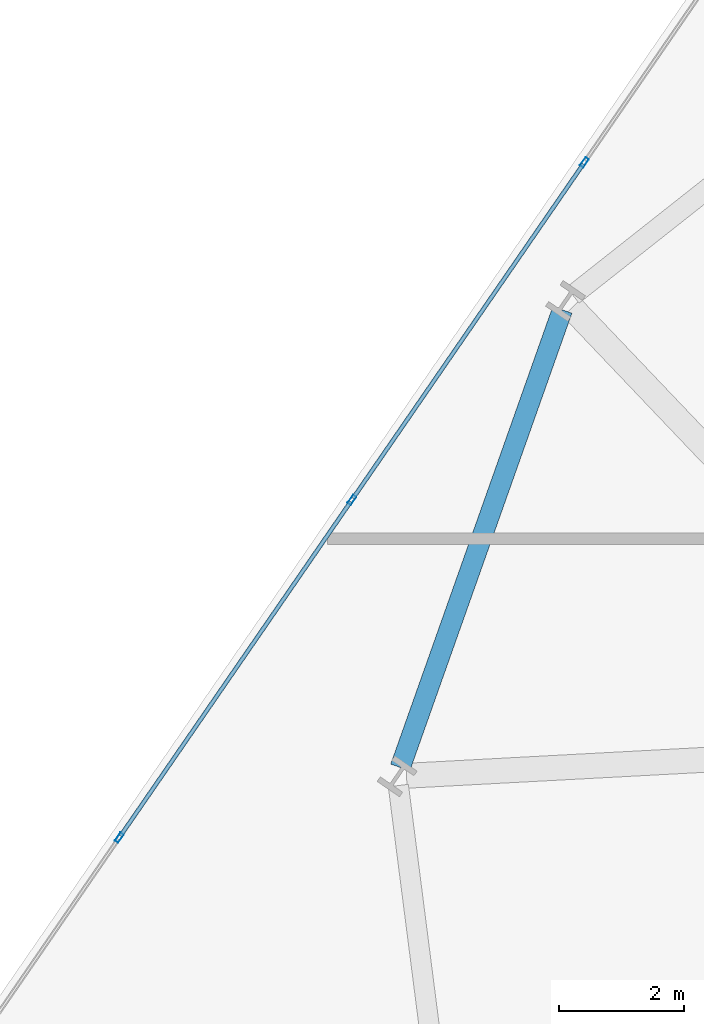
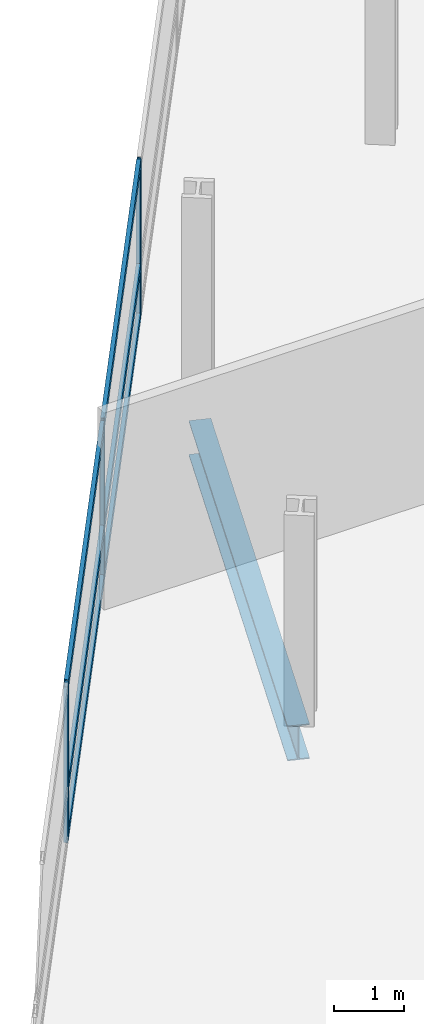
# One storey, part 4 of 24: 9 members, 1 beam, 1 element without a shape of its own.
"""IFC4 building model written with IfcOpenShell, lengths in metres."""

from ifc_helpers import new_model, si_unit, direction, frame, origin, origin_2d, place, context, subcontext, project, spatial, hollow_rectangle, i_section, extrude, material, layer, layer_set, material_profile, profile_set, type_object, element, aggregate, save


model = new_model("IFC4")

# Units and contexts
model_context = context("Model", 3, precision=1e-05, world=origin(), true_north=direction((0.0, 1.0)))
body_context = subcontext(model_context, "Body", "Model", "MODEL_VIEW")
ifc_project = project(units=[si_unit("LENGTHUNIT", "METRE"), si_unit("AREAUNIT", "SQUARE_METRE"), si_unit("VOLUMEUNIT", "CUBIC_METRE"), si_unit("PLANEANGLEUNIT", "RADIAN"), si_unit("MASSUNIT", "GRAM", prefix="KILO")], contexts=[model_context])

# Site, building, storey
site_placement = place(None, origin())
site = spatial("IfcSite", under=ifc_project, at=site_placement, CompositionType="ELEMENT")
building_placement = place(site_placement, origin())
building = spatial("IfcBuilding", under=site, at=building_placement, Name="Varnelok Gate Tower", CompositionType="ELEMENT")
storey_placement = place(building_placement, frame((0.0, 0.0, 41.800048828125)))
storey = spatial("IfcBuildingStorey", under=building, at=storey_placement, Name="L09", CompositionType="ELEMENT", Elevation=41.800048828125)

# Beam
ifc_material_1 = material(Name="Structural Steel ASTM A992 Grade 50", Category="steel")
ifc_material_profile_1 = material_profile(ifc_material_1, i_section(OverallWidth=0.323974609375, OverallDepth=0.611083984375, WebThickness=0.0126953125, FlangeThickness=0.01904296875, FilletRadius=0.01806640625, at=origin_2d()), Name="W24X104")
ifc_profile_set_1 = profile_set([ifc_material_profile_1], Name="Structural Steel ASTM A992 Grade 50")
beam_type = type_object("IfcBeamType", Name="BM-SPN-W24X104", PredefinedType="SPANDREL", material=ifc_profile_set_1)
beam_placement = place(storey_placement, frame((6.679931640625, 45.09619140625, -0.5556640625), z_axis=(-0.333877359029, -0.942616522838, 0.0), x_axis=(0.942616522838, -0.333877359029, 0.0)))
element("IfcBeam", 1, at=beam_placement, inside=storey, type_object=beam_type, Name="L09 Perimeter Spandrel Beam 15", PredefinedType="SPANDREL", context=body_context, shape_type="SweptSolid", body=[
    extrude(i_section(OverallWidth=0.323974609375, OverallDepth=0.611083984375, WebThickness=0.0126953125, FlangeThickness=0.01904296875, FilletRadius=0.01806640625, at=origin_2d()), origin(), (0.0, 0.0, 1.0), 7.77734375),
])

# Curtain wall, members
ifc_material_2 = material(Name="Anodized Aluminum Alloy 6063-T6", Category="aluminium")
ifc_layer = layer(ifc_material_2, 0.179931640625)
ifc_layer_set = layer_set([ifc_layer], Name="Anodized Aluminum Alloy 6063-T6")
curtain_wall_type = type_object("IfcCurtainWallType", Name="CW3-HOTEL-VISION", PredefinedType="USERDEFINED", material=ifc_layer_set)
curtain_wall_placement = place(storey_placement, origin())
curtain_wall = element("IfcCurtainWall", 2, at=curtain_wall_placement, inside=storey, type_object=curtain_wall_type, Name="L09 West End Vision Curtain Wall", ObjectType="UNITISED CURTAIN WALL", PredefinedType="USERDEFINED")
ifc_material_profile_2 = material_profile(ifc_material_2, hollow_rectangle(XDim=0.06494140625, YDim=0.159912109375, WallThickness=0.00390625, at=origin_2d()), Name="ALU160X65X4")
ifc_profile_set_2 = profile_set([ifc_material_profile_2], Name="Anodized Aluminum Alloy 6063-T6")
member_type_1 = type_object("IfcMemberType", Name="CW-MULL-160", PredefinedType="MULLION", material=ifc_profile_set_2)
member_1_placement = place(storey_placement, frame((-0.417236328125, 36.641845703125, 0.0), z_axis=(0.0, 0.0, 1.0), x_axis=(-0.823532685111, 0.567268822124, 0.0)))
member_1 = element("IfcMember", 3, at=member_1_placement, type_object=member_type_1, Name="CW3 mullion 2", PredefinedType="MULLION", context=body_context, shape_type="SweptSolid", body=[
    extrude(hollow_rectangle(XDim=0.06494140625, YDim=0.159912109375, WallThickness=0.00390625, at=origin_2d()), origin(), (0.0, 0.0, 1.0), 2.72998046875),
])
member_2_placement = place(storey_placement, frame((3.3076171875, 42.049560546875, 0.0), z_axis=(0.0, 0.0, 1.0), x_axis=(-0.823532685111, 0.567268822124, 0.0)))
member_2 = element("IfcMember", 4, at=member_2_placement, type_object=member_type_1, Name="CW3 mullion 3", PredefinedType="MULLION", context=body_context, shape_type="SweptSolid", body=[
    extrude(hollow_rectangle(XDim=0.06494140625, YDim=0.159912109375, WallThickness=0.00390625, at=origin_2d()), origin(), (0.0, 0.0, 1.0), 2.72998046875),
])
member_3_placement = place(storey_placement, frame((7.03271484375, 47.45751953125, 0.0), z_axis=(0.0, 0.0, 1.0), x_axis=(-0.823532685111, 0.567268822124, 0.0)))
member_3 = element("IfcMember", 5, at=member_3_placement, type_object=member_type_1, Name="CW3 mullion 4", PredefinedType="MULLION", context=body_context, shape_type="SweptSolid", body=[
    extrude(hollow_rectangle(XDim=0.06494140625, YDim=0.159912109375, WallThickness=0.00390625, at=origin_2d()), origin(), (0.0, 0.0, 1.0), 2.72998046875),
])
ifc_material_profile_3 = material_profile(ifc_material_2, hollow_rectangle(XDim=0.06494140625, YDim=0.159912109375, WallThickness=0.00390625, at=origin_2d()), Name="ALU160X65X4")
ifc_profile_set_3 = profile_set([ifc_material_profile_3], Name="Anodized Aluminum Alloy 6063-T6")
member_type_2 = type_object("IfcMemberType", Name="CW-TRAN-160", PredefinedType="USERDEFINED", material=ifc_profile_set_3)
member_4_placement = place(storey_placement, frame((-0.39892578125, 36.66845703125, 0.032470703125), z_axis=(0.567261662339, 0.823537616894, 0.0), x_axis=(-0.823537616894, 0.567261662339, 0.0)))
member_4 = element("IfcMember", 6, at=member_4_placement, type_object=member_type_2, Name="CW3 transom 2.1", ObjectType="TRANSOM", PredefinedType="USERDEFINED", context=body_context, shape_type="SweptSolid", body=[
    extrude(hollow_rectangle(XDim=0.06494140625, YDim=0.159912109375, WallThickness=0.00390625, at=origin_2d()), origin(), (0.0, 0.0, 1.0), 6.501708984375),
])
member_5_placement = place(storey_placement, frame((-0.39892578125, 36.66845703125, 0.89990234375), z_axis=(0.567261662339, 0.823537616894, 0.0), x_axis=(-0.823537616894, 0.567261662339, 0.0)))
member_5 = element("IfcMember", 7, at=member_5_placement, type_object=member_type_2, Name="CW3 transom 2.2", ObjectType="TRANSOM", PredefinedType="USERDEFINED", context=body_context, shape_type="SweptSolid", body=[
    extrude(hollow_rectangle(XDim=0.06494140625, YDim=0.159912109375, WallThickness=0.00390625, at=origin_2d()), origin(), (0.0, 0.0, 1.0), 6.501708984375),
])
member_6_placement = place(storey_placement, frame((-0.39892578125, 36.66845703125, 2.697509765625), z_axis=(0.567261662339, 0.823537616894, 0.0), x_axis=(-0.823537616894, 0.567261662339, 0.0)))
member_6 = element("IfcMember", 8, at=member_6_placement, type_object=member_type_2, Name="CW3 transom 2.3", ObjectType="TRANSOM", PredefinedType="USERDEFINED", context=body_context, shape_type="SweptSolid", body=[
    extrude(hollow_rectangle(XDim=0.06494140625, YDim=0.159912109375, WallThickness=0.00390625, at=origin_2d()), origin(), (0.0, 0.0, 1.0), 6.501708984375),
])
member_7_placement = place(storey_placement, frame((3.326171875, 42.076416015625, 0.032470703125), z_axis=(0.567279204469, 0.823525533409, 0.0), x_axis=(-0.823525533409, 0.567279204469, 0.0)))
member_7 = element("IfcMember", 9, at=member_7_placement, type_object=member_type_2, Name="CW3 transom 3.1", ObjectType="TRANSOM", PredefinedType="USERDEFINED", context=body_context, shape_type="SweptSolid", body=[
    extrude(hollow_rectangle(XDim=0.06494140625, YDim=0.159912109375, WallThickness=0.00390625, at=origin_2d()), origin(), (0.0, 0.0, 1.0), 6.501708984375),
])
member_8_placement = place(storey_placement, frame((3.326171875, 42.076416015625, 0.89990234375), z_axis=(0.567279204469, 0.823525533409, 0.0), x_axis=(-0.823525533409, 0.567279204469, 0.0)))
member_8 = element("IfcMember", 10, at=member_8_placement, type_object=member_type_2, Name="CW3 transom 3.2", ObjectType="TRANSOM", PredefinedType="USERDEFINED", context=body_context, shape_type="SweptSolid", body=[
    extrude(hollow_rectangle(XDim=0.06494140625, YDim=0.159912109375, WallThickness=0.00390625, at=origin_2d()), origin(), (0.0, 0.0, 1.0), 6.501708984375),
])
member_9_placement = place(storey_placement, frame((3.326171875, 42.076416015625, 2.697509765625), z_axis=(0.567279204469, 0.823525533409, 0.0), x_axis=(-0.823525533409, 0.567279204469, 0.0)))
member_9 = element("IfcMember", 11, at=member_9_placement, type_object=member_type_2, Name="CW3 transom 3.3", ObjectType="TRANSOM", PredefinedType="USERDEFINED", context=body_context, shape_type="SweptSolid", body=[
    extrude(hollow_rectangle(XDim=0.06494140625, YDim=0.159912109375, WallThickness=0.00390625, at=origin_2d()), origin(), (0.0, 0.0, 1.0), 6.501708984375),
])
aggregate(curtain_wall, [member_1, member_2, member_3, member_4, member_5, member_6, member_7, member_8, member_9])

save(model, "model.ifc")
